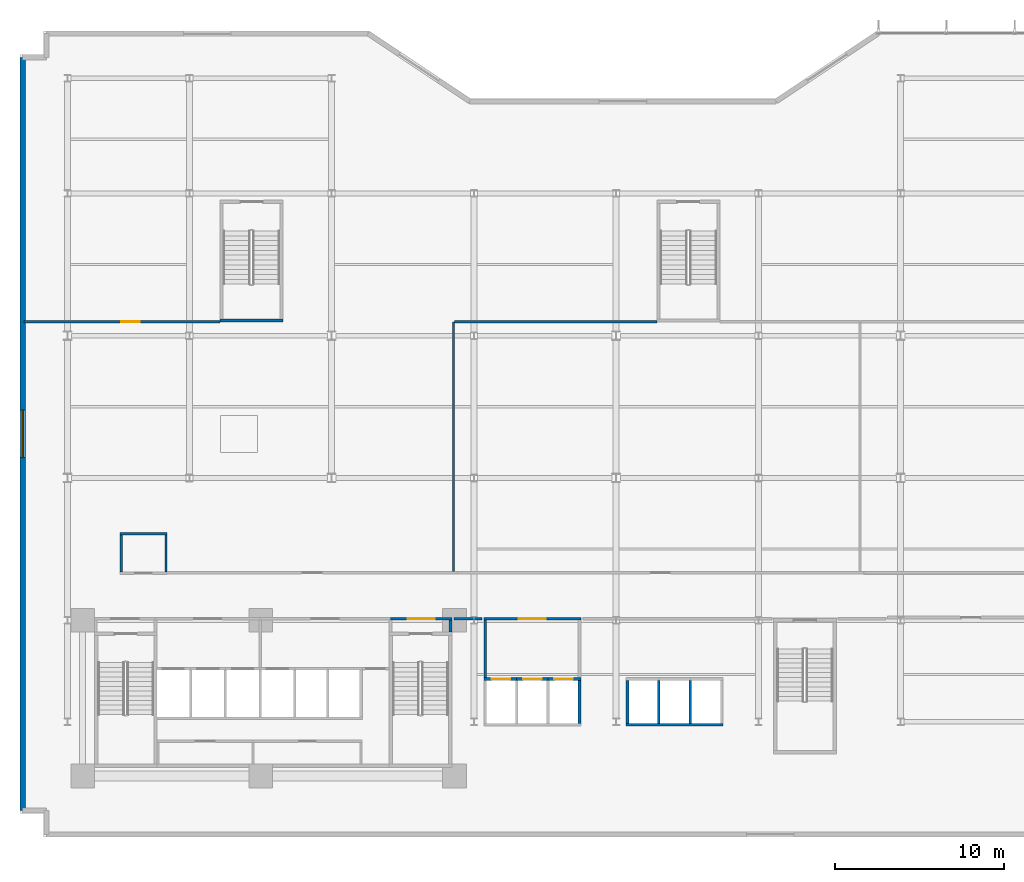
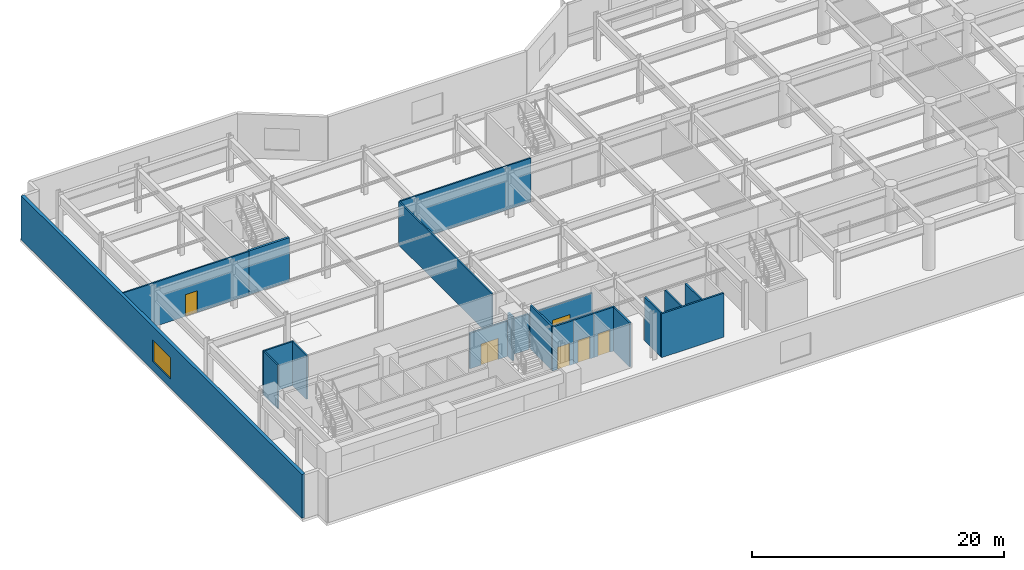
# One storey, part 15 of 26: 21 walls, 6 doors, 1 window, 7 openings.
"""IFC4 building model written with IfcOpenShell, lengths in metres."""

from ifc_helpers import new_model, si_unit, direction, frame, frame_2d, origin, place, context, subcontext, project, spatial, rectangle, extrude, material, layer, layer_set, type_object, element, fill, save


model = new_model("IFC4")

# Units and contexts
model_context = context("Model", 3, precision=1e-05, world=origin(), true_north=direction((0.0, 1.0)))
body_context = subcontext(model_context, "Body", "Model", "MODEL_VIEW")
ifc_project = project(units=[si_unit("LENGTHUNIT", "METRE"), si_unit("AREAUNIT", "SQUARE_METRE"), si_unit("VOLUMEUNIT", "CUBIC_METRE"), si_unit("PLANEANGLEUNIT", "RADIAN"), si_unit("MASSUNIT", "GRAM", prefix="KILO")], contexts=[model_context])

# Site, building, storey
site_placement = place(None, origin())
site = spatial("IfcSite", under=ifc_project, at=site_placement, CompositionType="ELEMENT")
building_placement = place(site_placement, origin())
building = spatial("IfcBuilding", under=site, at=building_placement, Name="Varnakote Quay Hospital", CompositionType="ELEMENT")
storey_placement = place(building_placement, frame((0.0, 0.0, 13.5)))
storey = spatial("IfcBuildingStorey", under=building, at=storey_placement, Name="L03", CompositionType="ELEMENT", Elevation=13.5)

# Wall, opening, door
ifc_material_1 = material(Name="Fire-rated acoustic gypsum stud wall", Category="gypsum")
ifc_layer_1 = layer(ifc_material_1, 0.159912109375)
ifc_layer_set_1 = layer_set([ifc_layer_1], Name="Fire-rated acoustic gypsum stud wall")
wall_type_1 = type_object("IfcWallType", Name="WL-COMP-160", PredefinedType="PARTITIONING", material=ifc_layer_set_1)
wall_1_placement = place(storey_placement, frame((20.280029296875, 12.080078125, 0.0), z_axis=(0.0, 0.0, 1.0), x_axis=(1.0, 0.0, 0.0)))
wall_1 = element("IfcWall", 1, at=wall_1_placement, inside=storey, type_object=wall_type_1, Name="L03 East Stair Vestibule Smoke Wall", PredefinedType="PARTITIONING", context=body_context, shape_type="SweptSolid", body=[
    extrude(rectangle(XDim=3.619873046875, YDim=0.159912109375, at=frame_2d((1.81005859375, 0.0))), origin(), (0.0, 0.0, 1.0), 3.425048828125),
])
opening_1_placement = place(wall_1_placement, frame((1.010009765625, 0.0, 0.0)))
opening_1 = element("IfcOpeningElement", 2, at=opening_1_placement, cuts=wall_1, Name="Opening D-ST2L-L03", PredefinedType="OPENING", context=body_context, shape_type="SweptSolid", body=[
    extrude(rectangle(XDim=1.60009765625, YDim=2.050048828125, at=frame_2d((0.800048828125, 1.02490234375))), frame((0.0, 0.08984375, 0.0), z_axis=(0.0, -1.0, 0.0), x_axis=(1.0, 0.0, 0.0)), (0.0, 0.0, 1.0), 0.179931640625),
])
ifc_material_2 = material(Name="Fire-rated double smoke lobby door")
door_type_1 = type_object("IfcDoorType", Name="DR-LOBBY-FD60S-1600x2150", OperationType="NOTDEFINED", PredefinedType="DOOR", material=ifc_material_2)
door_1_placement = place(opening_1_placement, origin())
door_1 = element("IfcDoor", 3, at=door_1_placement, inside=storey, type_object=door_type_1, Name="L03 East Stair Vestibule Smoke Door", OperationType="DOUBLE_DOOR_SINGLE_SWING", OverallHeight=2.050048828125, OverallWidth=1.60009765625, PredefinedType="DOOR", context=body_context, shape_type="SweptSolid", body=[
    extrude(rectangle(XDim=1.60009765625, YDim=2.050048828125, at=frame_2d((0.800048828125, 1.02490234375))), frame((0.0, 0.02490234375, 0.0), z_axis=(0.0, -1.0, 0.0), x_axis=(1.0, 0.0, 0.0)), (0.0, 0.0, 1.0), 0.050048828125),
])
fill(opening_1, door_1)

# Walls
wall_2_placement = place(storey_placement, frame((23.820068359375, 11.300048828125, 0.0), z_axis=(0.0, 0.0, 1.0), x_axis=(0.0, 1.0, 0.0)))
element("IfcWall", 4, at=wall_2_placement, inside=storey, type_object=wall_type_1, Name="L03 East Stair Vestibule East Wall", PredefinedType="PARTITIONING", context=body_context, shape_type="SweptSolid", body=[
    extrude(rectangle(XDim=0.699951171875, YDim=0.159912109375, at=frame_2d((0.35009765625, 0.0))), origin(), (0.0, 0.0, 1.0), 4.25),
])
wall_3_placement = place(storey_placement, frame((25.8701171875, 8.610107421875, 0.0), z_axis=(0.0, 0.0, 1.0), x_axis=(0.0, 1.0, 0.0)))
element("IfcWall", 5, at=wall_3_placement, inside=storey, type_object=wall_type_1, Name="L03 Low-Rise Lift Lobby West Wall", PredefinedType="PARTITIONING", context=body_context, shape_type="SweptSolid", body=[
    extrude(rectangle(XDim=3.389892578125, YDim=0.159912109375, at=frame_2d((1.69482421875, 0.0))), origin(), (0.0, 0.0, 1.0), 4.25),
])

# Wall, opening, door
wall_4_placement = place(storey_placement, frame((25.7900390625, 12.080078125, 0.0), z_axis=(0.0, 0.0, 1.0), x_axis=(1.0, 0.0, 0.0)))
wall_4 = element("IfcWall", 6, at=wall_4_placement, inside=storey, type_object=wall_type_1, Name="L03 Low-Rise Lift Lobby North Wall", PredefinedType="PARTITIONING", context=body_context, shape_type="SweptSolid", body=[
    extrude(rectangle(XDim=5.719970703125, YDim=0.159912109375, at=frame_2d((2.85986328125, 0.0))), origin(), (0.0, 0.0, 1.0), 3.425048828125),
])
opening_2_placement = place(wall_4_placement, frame((2.06005859375, 0.0, 0.0)))
opening_2 = element("IfcOpeningElement", 7, at=opening_2_placement, cuts=wall_4, Name="Opening D-PLL-L03", PredefinedType="OPENING", context=body_context, shape_type="SweptSolid", body=[
    extrude(rectangle(XDim=1.60009765625, YDim=2.050048828125, at=frame_2d((0.800048828125, 1.02490234375))), frame((0.0, 0.08984375, 0.0), z_axis=(0.0, -1.0, 0.0), x_axis=(1.0, 0.0, 0.0)), (0.0, 0.0, 1.0), 0.179931640625),
])
door_2_placement = place(opening_2_placement, origin())
door_2 = element("IfcDoor", 8, at=door_2_placement, inside=storey, type_object=door_type_1, Name="L03 Low-Rise Passenger Concourse Vestibule Door", OperationType="DOUBLE_DOOR_SINGLE_SWING", OverallHeight=2.050048828125, OverallWidth=1.60009765625, PredefinedType="DOOR", context=body_context, shape_type="SweptSolid", body=[
    extrude(rectangle(XDim=1.60009765625, YDim=2.050048828125, at=frame_2d((0.800048828125, 1.02490234375))), frame((0.0, 0.02490234375, 0.0), z_axis=(0.0, -1.0, 0.0), x_axis=(1.0, 0.0, 0.0)), (0.0, 0.0, 1.0), 0.050048828125),
])
fill(opening_2, door_2)

# Wall
wall_5_placement = place(storey_placement, frame((24.02001953125, 12.080078125, 0.0), z_axis=(0.0, 0.0, 1.0), x_axis=(1.0, 0.0, 0.0)))
element("IfcWall", 9, at=wall_5_placement, inside=storey, type_object=wall_type_1, Name="L03 Corridor South Gap Wall", PredefinedType="PARTITIONING", context=body_context, shape_type="SweptSolid", body=[
    extrude(rectangle(XDim=1.64990234375, YDim=0.159912109375, at=frame_2d((0.824951171875, 0.0))), origin(), (0.0, 0.0, 1.0), 3.425048828125),
])

# Wall, opening, window
ifc_material_3 = material(Name="Precast concrete N50 (f'c 50 MPa)", Category="concrete")
ifc_layer_2 = layer(ifc_material_3, 0.300048828125)
ifc_layer_set_2 = layer_set([ifc_layer_2], Name="Precast concrete N50 (f'c 50 MPa)")
wall_type_2 = type_object("IfcWallType", Name="WL-EXT-BRICK-300", PredefinedType="STANDARD", material=ifc_layer_set_2)
wall_6_placement = place(storey_placement, frame((-1.43994140625, 45.239990234375, 0.0), z_axis=(0.0, 0.0, 1.0), x_axis=(0.0, -1.0, 0.0)))
wall_6 = element("IfcWall", 10, at=wall_6_placement, inside=storey, type_object=wall_type_2, Name="L03 Brick-Faced Precast Exterior Wall", PredefinedType="STANDARD", context=body_context, shape_type="SweptSolid", body=[
    extrude(rectangle(XDim=44.47998046875, YDim=0.300048828125, at=frame_2d((22.239990234375, 0.0))), origin(), (0.0, 0.0, 1.0), 4.25),
])
opening_3_placement = place(wall_6_placement, frame((20.840087890625, 0.0, 0.85009765625)))
opening_3 = element("IfcOpeningElement", 11, at=opening_3_placement, cuts=wall_6, Name="Opening WN-0024", PredefinedType="OPENING", context=body_context, shape_type="SweptSolid", body=[
    extrude(rectangle(XDim=2.800048828125, YDim=2.10009765625, at=frame_2d((1.39990234375, 1.050048828125))), frame((0.0, 0.159912109375, 0.0), z_axis=(0.0, -1.0, 0.0), x_axis=(1.0, 0.0, 0.0)), (0.0, 0.0, 1.0), 0.320068359375),
])
ifc_material_4 = material(Name="Double-glazed acoustic laminated glass", Category="glass")
window_type = type_object("IfcWindowType", Name="WIN-POD-2800x2100", PartitioningType="SINGLE_PANEL", PredefinedType="WINDOW", material=ifc_material_4)
window_placement = place(opening_3_placement, origin())
window = element("IfcWindow", 12, at=window_placement, inside=storey, type_object=window_type, Name="L03 Solar-Control Clinical Window", OverallHeight=2.10009765625, OverallWidth=2.800048828125, PartitioningType="SINGLE_PANEL", PredefinedType="WINDOW", context=body_context, shape_type="SweptSolid", body=[
    extrude(rectangle(XDim=2.800048828125, YDim=2.10009765625, at=frame_2d((1.39990234375, 1.050048828125))), frame((0.0, 0.030029296875, 0.0), z_axis=(0.0, -1.0, 0.0), x_axis=(1.0, 0.0, 0.0)), (0.0, 0.0, 1.0), 0.06005859375),
])
fill(opening_3, window)

# Walls
ifc_material_5 = material(Name="Concrete N50 (f'c 50 MPa)", Category="concrete")
ifc_layer_3 = layer(ifc_material_5, 0.14990234375)
ifc_layer_set_3 = layer_set([ifc_layer_3], Name="Concrete N50 (f'c 50 MPa)")
wall_type_3 = type_object("IfcWallType", Name="WL-SHAFT-N50-150", PredefinedType="SHEAR", material=ifc_layer_set_3)
for number, where, z_axis, x_axis, name in (
    (13, (36.125, 5.89990234375, 0.0), (0.0, 0.0, 1.0), (0.0, 1.0, 0.0), "L03 LF-PM1 Hoistway Divider Wall"),
    (14, (37.97509765625, 5.89990234375, 0.0), (0.0, 0.0, 1.0), (0.0, 1.0, 0.0), "L03 LF-PM2 Hoistway Divider Wall"),
):
    element("IfcWall", number, at=place(storey_placement, frame(where, z_axis=z_axis, x_axis=x_axis)), inside=storey, type_object=wall_type_3, Name=name, PredefinedType="SHEAR", context=body_context, shape_type="SweptSolid", body=[
        extrude(rectangle(XDim=2.550048828125, YDim=0.14990234375, at=frame_2d((1.27490234375, 0.0))), origin(), (0.0, 0.0, 1.0), 4.25),
    ])
ifc_material_6 = material(Name="Concrete N50 (f'c 50 MPa)", Category="concrete")
ifc_layer_4 = layer(ifc_material_6, 0.159912109375)
ifc_layer_set_4 = layer_set([ifc_layer_4], Name="Concrete N50 (f'c 50 MPa)")
wall_type_4 = type_object("IfcWallType", Name="WL-SHAFT-N50-160", PredefinedType="SHEAR", material=ifc_layer_set_4)
wall_7_placement = place(storey_placement, frame((31.429931640625, 5.89990234375, 0.0), z_axis=(0.0, 0.0, 1.0), x_axis=(0.0, 1.0, 0.0)))
element("IfcWall", 15, at=wall_7_placement, inside=storey, type_object=wall_type_4, Name="L03 LOW Lift Bank East Shear Wall", PredefinedType="SHEAR", context=body_context, shape_type="SweptSolid", body=[
    extrude(rectangle(XDim=2.550048828125, YDim=0.159912109375, at=frame_2d((1.27490234375, 0.0))), origin(), (0.0, 0.0, 1.0), 4.25),
])

# Wall, opening, door
wall_8_placement = place(storey_placement, frame((25.7900390625, 8.530029296875, 0.0), z_axis=(0.0, 0.0, 1.0), x_axis=(1.0, 0.0, 0.0)))
wall_8 = element("IfcWall", 16, at=wall_8_placement, inside=storey, type_object=wall_type_4, Name="L03 LF-PL1 Hoistway Front Wall", PredefinedType="SHEAR", context=body_context, shape_type="SweptSolid", body=[
    extrude(rectangle(XDim=1.93505859375, YDim=0.159912109375, at=frame_2d((0.967529296875, 0.0))), origin(), (0.0, 0.0, 1.0), 4.25),
])
opening_4_placement = place(wall_8_placement, frame((0.4599609375, 0.0, 0.0)))
opening_4 = element("IfcOpeningElement", 17, at=opening_4_placement, cuts=wall_8, Name="Opening LD-PL1-L03", PredefinedType="OPENING", context=body_context, shape_type="SweptSolid", body=[
    extrude(rectangle(XDim=1.10009765625, YDim=2.14990234375, at=frame_2d((0.550048828125, 1.074951171875))), frame((0.0, 0.08984375, 0.0), z_axis=(0.0, -1.0, 0.0), x_axis=(1.0, 0.0, 0.0)), (0.0, 0.0, 1.0), 0.179931640625),
])
ifc_material_7 = material(Name="Brushed bronze lift landing sliding door")
door_type_2 = type_object("IfcDoorType", Name="DR-LIFT-LD-1100x2150", OperationType="NOTDEFINED", PredefinedType="DOOR", material=ifc_material_7)
door_3_placement = place(opening_4_placement, origin())
door_3 = element("IfcDoor", 18, at=door_3_placement, inside=storey, type_object=door_type_2, Name="L03 LF-PL1 Lift Landing Sliding Door", OperationType="SLIDING_TO_LEFT", OverallHeight=2.14990234375, OverallWidth=1.10009765625, PredefinedType="DOOR", context=body_context, shape_type="SweptSolid", body=[
    extrude(rectangle(XDim=1.10009765625, YDim=2.14990234375, at=frame_2d((0.550048828125, 1.074951171875))), frame((0.0, 0.02490234375, 0.0), z_axis=(0.0, -1.0, 0.0), x_axis=(1.0, 0.0, 0.0)), (0.0, 0.0, 1.0), 0.050048828125),
])
fill(opening_4, door_3)

wall_9_placement = place(storey_placement, frame((27.72509765625, 8.530029296875, 0.0), z_axis=(0.0, 0.0, 1.0), x_axis=(1.0, 0.0, 0.0)))
wall_9 = element("IfcWall", 19, at=wall_9_placement, inside=storey, type_object=wall_type_4, Name="L03 LF-PL2 Hoistway Front Wall", PredefinedType="SHEAR", context=body_context, shape_type="SweptSolid", body=[
    extrude(rectangle(XDim=1.849853515625, YDim=0.159912109375, at=frame_2d((0.9248046875, 0.0))), origin(), (0.0, 0.0, 1.0), 4.25),
])
opening_5_placement = place(wall_9_placement, frame((0.375, 0.0, 0.0)))
opening_5 = element("IfcOpeningElement", 20, at=opening_5_placement, cuts=wall_9, Name="Opening LD-PL2-L03", PredefinedType="OPENING", context=body_context, shape_type="SweptSolid", body=[
    extrude(rectangle(XDim=1.10009765625, YDim=2.14990234375, at=frame_2d((0.550048828125, 1.074951171875))), frame((0.0, 0.08984375, 0.0), z_axis=(0.0, -1.0, 0.0), x_axis=(1.0, 0.0, 0.0)), (0.0, 0.0, 1.0), 0.179931640625),
])
door_4_placement = place(opening_5_placement, origin())
door_4 = element("IfcDoor", 21, at=door_4_placement, inside=storey, type_object=door_type_2, Name="L03 LF-PL2 Lift Landing Sliding Door", OperationType="SLIDING_TO_LEFT", OverallHeight=2.14990234375, OverallWidth=1.10009765625, PredefinedType="DOOR", context=body_context, shape_type="SweptSolid", body=[
    extrude(rectangle(XDim=1.10009765625, YDim=2.14990234375, at=frame_2d((0.550048828125, 1.074951171875))), frame((0.0, 0.02490234375, 0.0), z_axis=(0.0, -1.0, 0.0), x_axis=(1.0, 0.0, 0.0)), (0.0, 0.0, 1.0), 0.050048828125),
])
fill(opening_5, door_4)

wall_10_placement = place(storey_placement, frame((29.574951171875, 8.530029296875, 0.0), z_axis=(0.0, 0.0, 1.0), x_axis=(1.0, 0.0, 0.0)))
wall_10 = element("IfcWall", 22, at=wall_10_placement, inside=storey, type_object=wall_type_4, Name="L03 LF-PL3 Hoistway Front Wall", PredefinedType="SHEAR", context=body_context, shape_type="SweptSolid", body=[
    extrude(rectangle(XDim=1.93505859375, YDim=0.159912109375, at=frame_2d((0.967529296875, 0.0))), origin(), (0.0, 0.0, 1.0), 4.25),
])
opening_6_placement = place(wall_10_placement, frame((0.375, 0.0, 0.0)))
opening_6 = element("IfcOpeningElement", 23, at=opening_6_placement, cuts=wall_10, Name="Opening LD-PL3-L03", PredefinedType="OPENING", context=body_context, shape_type="SweptSolid", body=[
    extrude(rectangle(XDim=1.10009765625, YDim=2.14990234375, at=frame_2d((0.550048828125, 1.074951171875))), frame((0.0, 0.08984375, 0.0), z_axis=(0.0, -1.0, 0.0), x_axis=(1.0, 0.0, 0.0)), (0.0, 0.0, 1.0), 0.179931640625),
])
door_5_placement = place(opening_6_placement, origin())
door_5 = element("IfcDoor", 24, at=door_5_placement, inside=storey, type_object=door_type_2, Name="L03 LF-PL3 Lift Landing Sliding Door", OperationType="SLIDING_TO_LEFT", OverallHeight=2.14990234375, OverallWidth=1.10009765625, PredefinedType="DOOR", context=body_context, shape_type="SweptSolid", body=[
    extrude(rectangle(XDim=1.10009765625, YDim=2.14990234375, at=frame_2d((0.550048828125, 1.074951171875))), frame((0.0, 0.02490234375, 0.0), z_axis=(0.0, -1.0, 0.0), x_axis=(1.0, 0.0, 0.0)), (0.0, 0.0, 1.0), 0.050048828125),
])
fill(opening_6, door_5)

# Walls
wall_11_placement = place(storey_placement, frame((34.18994140625, 5.820068359375, 0.0), z_axis=(0.0, 0.0, 1.0), x_axis=(1.0, 0.0, 0.0)))
element("IfcWall", 25, at=wall_11_placement, inside=storey, type_object=wall_type_4, Name="L03 MID Lift Bank Back Shear Wall", PredefinedType="SHEAR", context=body_context, shape_type="SweptSolid", body=[
    extrude(rectangle(XDim=5.719970703125, YDim=0.159912109375, at=frame_2d((2.85986328125, 0.0))), origin(), (0.0, 0.0, 1.0), 4.25),
])
wall_12_placement = place(storey_placement, frame((34.27001953125, 5.89990234375, 0.0), z_axis=(0.0, 0.0, 1.0), x_axis=(0.0, 1.0, 0.0)))
element("IfcWall", 26, at=wall_12_placement, inside=storey, type_object=wall_type_4, Name="L03 MID Lift Bank West Shear Wall", PredefinedType="SHEAR", context=body_context, shape_type="SweptSolid", body=[
    extrude(rectangle(XDim=2.550048828125, YDim=0.159912109375, at=frame_2d((1.27490234375, 0.0))), origin(), (0.0, 0.0, 1.0), 4.25),
])
ifc_material_8 = material(Name="Concrete N50 (f'c 50 MPa)", Category="concrete")
ifc_layer_5 = layer(ifc_material_8, 0.199951171875)
ifc_layer_set_5 = layer_set([ifc_layer_5], Name="Concrete N50 (f'c 50 MPa)")
wall_type_5 = type_object("IfcWallType", Name="WL-SHAFT-N50-200", PredefinedType="SHEAR", material=ifc_layer_set_5)
wall_13_placement = place(storey_placement, frame((10.199951171875, 29.699951171875, 0.0), z_axis=(0.0, 0.0, 1.0), x_axis=(1.0, 0.0, 0.0)))
element("IfcWall", 27, at=wall_13_placement, inside=storey, type_object=wall_type_5, Name="L03 Stair ST4 South Shaft Wall", PredefinedType="SHEAR", context=body_context, shape_type="SweptSolid", body=[
    extrude(rectangle(XDim=3.739990234375, YDim=0.199951171875, at=frame_2d((1.8701171875, 0.0))), origin(), (0.0, 0.0, 1.0), 4.25),
])
ifc_material_9 = material(Name="Smoke-proof clinical partition", Category="gypsum")
ifc_layer_6 = layer(ifc_material_9, 0.135009765625)
ifc_layer_set_6 = layer_set([ifc_layer_6], Name="Smoke-proof clinical partition")
wall_type_6 = type_object("IfcWallType", Name="WL-SMOKE-135", PredefinedType="PARTITIONING", material=ifc_layer_set_6)
wall_14_placement = place(storey_placement, frame((24.0, 14.864990234375, 0.0), z_axis=(0.0, 0.0, 1.0), x_axis=(0.0, 1.0, 0.0)))
element("IfcWall", 28, at=wall_14_placement, inside=storey, type_object=wall_type_6, Name="L03 Clinical Interior Partition", PredefinedType="PARTITIONING", context=body_context, shape_type="SweptSolid", body=[
    extrude(rectangle(XDim=14.755126953125, YDim=0.135009765625, at=frame_2d((7.37744140625, 0.0))), origin(), (0.0, 0.0, 1.0), 4.25),
])

# Wall, opening, door
wall_15_placement = place(storey_placement, frame((10.199951171875, 29.6201171875, 0.0), z_axis=(0.0, 0.0, 1.0), x_axis=(-1.0, 0.0, 0.0)))
wall_15 = element("IfcWall", 29, at=wall_15_placement, inside=storey, type_object=wall_type_6, Name="L03 Clinical Interior Partition", PredefinedType="PARTITIONING", context=body_context, shape_type="SweptSolid", body=[
    extrude(rectangle(XDim=11.550048828125, YDim=0.135009765625, at=frame_2d((5.77490234375, 0.0))), origin(), (0.0, 0.0, 1.0), 4.25),
])
opening_7_placement = place(wall_15_placement, frame((4.722412109375, 0.0, 0.0)))
opening_7 = element("IfcOpeningElement", 30, at=opening_7_placement, cuts=wall_15, Name="Opening D-L03-PATH", PredefinedType="OPENING", context=body_context, shape_type="SweptSolid", body=[
    extrude(rectangle(XDim=1.10009765625, YDim=2.10009765625, at=frame_2d((0.550048828125, 1.050048828125))), frame((0.0, 0.077392578125, 0.0), z_axis=(0.0, -1.0, 0.0), x_axis=(1.0, 0.0, 0.0)), (0.0, 0.0, 1.0), 0.155029296875),
])
ifc_material_10 = material(Name="Acoustic timber clinical consult door", Category="wood")
door_type_3 = type_object("IfcDoorType", Name="DR-CLIN-FD30S-1100x2100", OperationType="NOTDEFINED", PredefinedType="DOOR", material=ifc_material_10)
door_6_placement = place(opening_7_placement, origin())
door_6 = element("IfcDoor", 31, at=door_6_placement, inside=storey, type_object=door_type_3, Name="L03 Automated Clinical Pathology Laboratory Door", OperationType="SINGLE_SWING_RIGHT", OverallHeight=2.10009765625, OverallWidth=1.10009765625, PredefinedType="DOOR", context=body_context, shape_type="SweptSolid", body=[
    extrude(rectangle(XDim=1.10009765625, YDim=2.10009765625, at=frame_2d((0.550048828125, 1.050048828125))), frame((0.0, 0.02490234375, 0.0), z_axis=(0.0, -1.0, 0.0), x_axis=(1.0, 0.0, 0.0)), (0.0, 0.0, 1.0), 0.050048828125),
])
fill(opening_7, door_6)

# Walls
wall_16_placement = place(storey_placement, frame((35.998046875, 29.6201171875, 0.0), z_axis=(0.0, 0.0, 1.0), x_axis=(-1.0, 0.0, 0.0)))
element("IfcWall", 32, at=wall_16_placement, inside=storey, type_object=wall_type_6, Name="L03 Clinical Interior Partition", PredefinedType="PARTITIONING", context=body_context, shape_type="SweptSolid", body=[
    extrude(rectangle(XDim=11.9404296875, YDim=0.135009765625, at=frame_2d((5.97021484375, 0.0))), origin(), (0.0, 0.0, 1.0), 4.25),
])
ifc_material_11 = material(Name="Fire-rated clinical gypsum partition", Category="gypsum")
ifc_layer_7 = layer(ifc_material_11, 0.139892578125)
ifc_layer_set_7 = layer_set([ifc_layer_7], Name="Fire-rated clinical gypsum partition")
wall_type_7 = type_object("IfcWallType", Name="WL-WARD-140", PredefinedType="PARTITIONING", material=ifc_layer_set_7)
wall_17_placement = place(storey_placement, frame((4.31005859375, 17.110107421875, 0.0), z_axis=(0.0, 0.0, 1.0), x_axis=(1.0, 0.0, 0.0)))
element("IfcWall", 33, at=wall_17_placement, inside=storey, type_object=wall_type_7, Name="L03 Floor Unisex Accessible WC N Wall", PredefinedType="PARTITIONING", context=body_context, shape_type="SweptSolid", body=[
    extrude(rectangle(XDim=2.780029296875, YDim=0.139892578125, at=frame_2d((1.39013671875, 0.0))), origin(), (0.0, 0.0, 1.0), 4.25),
])
for number, where, z_axis, x_axis, name in (
    (34, (4.3798828125, 14.840087890625, 0.0), (0.0, 0.0, 1.0), (0.0, 1.0, 0.0), "L03 Floor Unisex Accessible WC W Wall"),
    (35, (7.02001953125, 14.840087890625, 0.0), (0.0, 0.0, 1.0), (0.0, 1.0, 0.0), "L03 Floor Unisex Accessible WC E Wall"),
):
    element("IfcWall", number, at=place(storey_placement, frame(where, z_axis=z_axis, x_axis=x_axis)), inside=storey, type_object=wall_type_7, Name=name, PredefinedType="PARTITIONING", context=body_context, shape_type="SweptSolid", body=[
        extrude(rectangle(XDim=2.199951171875, YDim=0.139892578125, at=frame_2d((1.10009765625, 0.0))), origin(), (0.0, 0.0, 1.0), 4.25),
    ])

save(model, "model.ifc")
